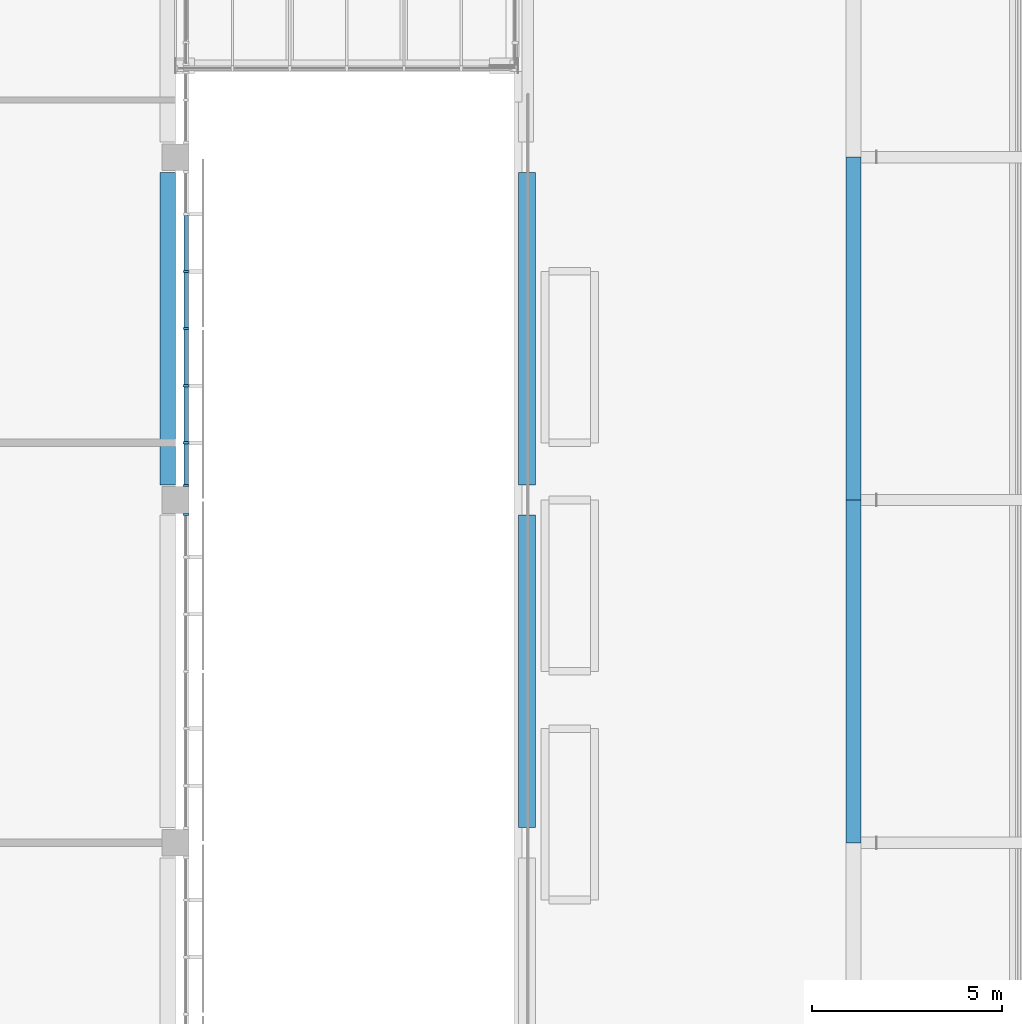
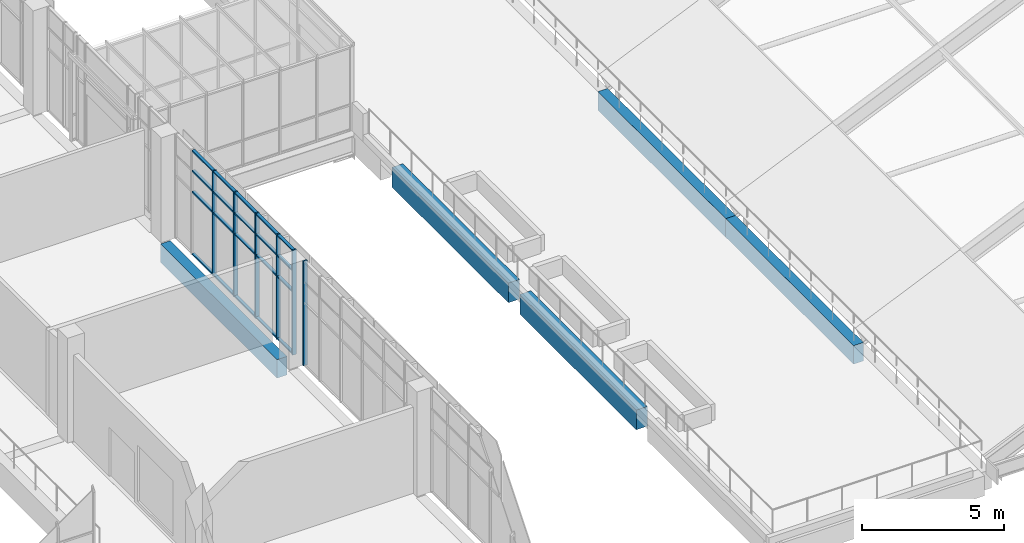
# One storey, part 24 of 106: 26 members, 5 beams, 2 elements without a shape of their own.
"""IFC4 building model written with IfcOpenShell, lengths in metres."""

from ifc_helpers import new_model, si_unit, direction, frame, origin, origin_2d, place, context, subcontext, project, spatial, rectangle, extrude, material, layer, layer_set, material_profile, profile_set, type_object, element, aggregate, save


model = new_model("IFC4")

# Units and contexts
model_context = context("Model", 3, precision=1e-05, world=origin(), true_north=direction((0.0, 1.0)))
body_context = subcontext(model_context, "Body", "Model", "MODEL_VIEW")
ifc_project = project(units=[si_unit("LENGTHUNIT", "METRE"), si_unit("AREAUNIT", "SQUARE_METRE"), si_unit("VOLUMEUNIT", "CUBIC_METRE"), si_unit("PLANEANGLEUNIT", "RADIAN"), si_unit("MASSUNIT", "GRAM", prefix="KILO")], contexts=[model_context])

# Site, building, storey
site_placement = place(None, origin())
site = spatial("IfcSite", under=ifc_project, at=site_placement, CompositionType="ELEMENT")
building_placement = place(site_placement, origin())
building = spatial("IfcBuilding", under=site, at=building_placement, Name="Guidao Yard Department Store", CompositionType="ELEMENT")
storey_placement = place(building_placement, frame((0.0, 0.0, 10.5)))
storey = spatial("IfcBuildingStorey", under=building, at=storey_placement, Name="L02", CompositionType="ELEMENT", Elevation=10.5)

# Beams
ifc_material_1 = material(Name="Concrete C40", Category="concrete")
ifc_material_profile_1 = material_profile(ifc_material_1, rectangle(XDim=0.449951171875, YDim=0.85009765625, at=origin_2d()), Name="Garden roof spandrel beam 450 x 850 C40")
ifc_profile_set_1 = profile_set([ifc_material_profile_1], Name="Concrete C40")
beam_type_1 = type_object("IfcBeamType", Name="Garden roof spandrel beam 450 x 850 C40", PredefinedType="SPANDREL", material=ifc_profile_set_1)
for number, where, z_axis, x_axis, name in (
    (1, (117.22509765625, 63.39990234375, -0.425048828125), (0.0, 1.0, 0.0), (-1.0, 0.0, 0.0), "Beam EB87"),
    (2, (117.22509765625, 72.39990234375, -0.425048828125), (0.0, 1.0, 0.0), (-1.0, 0.0, 0.0), "Beam EB88"),
):
    element("IfcBeam", number, at=place(storey_placement, frame(where, z_axis=z_axis, x_axis=x_axis)), inside=storey, type_object=beam_type_1, Name=name, PredefinedType="SPANDREL", context=body_context, shape_type="SweptSolid", body=[
        extrude(rectangle(XDim=0.449951171875, YDim=0.85009765625, at=origin_2d()), origin(), (0.0, 0.0, 1.0), 8.2001953125),
    ])

# Curtain wall, member
ifc_material_2 = material(Name="Aluminium and glass", Category="aluminium")
ifc_layer = layer(ifc_material_2, 0.159912109375)
ifc_layer_set = layer_set([ifc_layer], Name="Shopfront curtain wall CW1 1500 module")
curtain_wall_type = type_object("IfcCurtainWallType", Name="Shopfront curtain wall CW1 1500 module", PredefinedType="NOTDEFINED", material=ifc_layer_set)
curtain_wall_1_placement = place(storey_placement, origin())
curtain_wall_1 = element("IfcCurtainWall", 3, at=curtain_wall_1_placement, inside=storey, type_object=curtain_wall_type, Name="Arcade shop front", PredefinedType="NOTDEFINED")
ifc_material_3 = material(Name="Aluminium 6063-T5", Category="aluminium")
ifc_material_profile_2 = material_profile(ifc_material_3, rectangle(XDim=0.06005859375, YDim=0.159912109375, at=origin_2d()), Name="Mullion M1 60 x 160 aluminium pressure plate")
ifc_profile_set_2 = profile_set([ifc_material_profile_2], Name="Aluminium 6063-T5")
member_type_1 = type_object("IfcMemberType", Name="Mullion M1 60 x 160 aluminium pressure plate", PredefinedType="MULLION", material=ifc_profile_set_2)
member_1_placement = place(storey_placement, frame((108.280029296875, 71.6201171875, 0.0), z_axis=(0.0, 0.0, 1.0), x_axis=(0.0, -1.0, 0.0)))
member_1 = element("IfcMember", 4, at=member_1_placement, type_object=member_type_1, Name="CW-AS-L02-16 mullion 7", PredefinedType="MULLION", context=body_context, shape_type="SweptSolid", body=[
    extrude(rectangle(XDim=0.06005859375, YDim=0.159912109375, at=origin_2d()), origin(), (0.0, 0.0, 1.0), 4.5),
])
aggregate(curtain_wall_1, [member_1])

# Curtain wall, members
curtain_wall_2_placement = place(storey_placement, origin())
curtain_wall_2 = element("IfcCurtainWall", 5, at=curtain_wall_2_placement, inside=storey, type_object=curtain_wall_type, Name="Arcade shop front", PredefinedType="NOTDEFINED")
member_2_placement = place(storey_placement, frame((108.280029296875, 72.3798828125, 0.0), z_axis=(0.0, 0.0, 1.0), x_axis=(0.0, -1.0, 0.0)))
member_2 = element("IfcMember", 6, at=member_2_placement, type_object=member_type_1, Name="CW-AS-L02-17 mullion 1", PredefinedType="MULLION", context=body_context, shape_type="SweptSolid", body=[
    extrude(rectangle(XDim=0.06005859375, YDim=0.159912109375, at=origin_2d()), origin(), (0.0, 0.0, 1.0), 4.5),
])
member_3_placement = place(storey_placement, frame((108.280029296875, 73.5, 0.0), z_axis=(0.0, 0.0, 1.0), x_axis=(0.0, -1.0, 0.0)))
member_3 = element("IfcMember", 7, at=member_3_placement, type_object=member_type_1, Name="CW-AS-L02-17 mullion 2", PredefinedType="MULLION", context=body_context, shape_type="SweptSolid", body=[
    extrude(rectangle(XDim=0.06005859375, YDim=0.159912109375, at=origin_2d()), origin(), (0.0, 0.0, 1.0), 4.5),
])
member_4_placement = place(storey_placement, frame((108.280029296875, 75.0, 0.0), z_axis=(0.0, 0.0, 1.0), x_axis=(0.0, -1.0, 0.0)))
member_4 = element("IfcMember", 8, at=member_4_placement, type_object=member_type_1, Name="CW-AS-L02-17 mullion 3", PredefinedType="MULLION", context=body_context, shape_type="SweptSolid", body=[
    extrude(rectangle(XDim=0.06005859375, YDim=0.159912109375, at=origin_2d()), origin(), (0.0, 0.0, 1.0), 4.5),
])
member_5_placement = place(storey_placement, frame((108.280029296875, 76.5, 0.0), z_axis=(0.0, 0.0, 1.0), x_axis=(0.0, -1.0, 0.0)))
member_5 = element("IfcMember", 9, at=member_5_placement, type_object=member_type_1, Name="CW-AS-L02-17 mullion 4", PredefinedType="MULLION", context=body_context, shape_type="SweptSolid", body=[
    extrude(rectangle(XDim=0.06005859375, YDim=0.159912109375, at=origin_2d()), origin(), (0.0, 0.0, 1.0), 4.5),
])
member_6_placement = place(storey_placement, frame((108.280029296875, 78.0, 0.0), z_axis=(0.0, 0.0, 1.0), x_axis=(0.0, -1.0, 0.0)))
member_6 = element("IfcMember", 10, at=member_6_placement, type_object=member_type_1, Name="CW-AS-L02-17 mullion 5", PredefinedType="MULLION", context=body_context, shape_type="SweptSolid", body=[
    extrude(rectangle(XDim=0.06005859375, YDim=0.159912109375, at=origin_2d()), origin(), (0.0, 0.0, 1.0), 4.5),
])

# Beam
ifc_material_4 = material(Name="Concrete C40", Category="concrete")
ifc_material_profile_3 = material_profile(ifc_material_4, rectangle(XDim=0.39990234375, YDim=0.800048828125, at=origin_2d()), Name="Spandrel beam 400 x 800 C40")
ifc_profile_set_3 = profile_set([ifc_material_profile_3], Name="Concrete C40")
beam_type_2 = type_object("IfcBeamType", Name="Spandrel beam 400 x 800 C40", PredefinedType="SPANDREL", material=ifc_profile_set_3)
beam_placement = place(storey_placement, frame((107.800048828125, 72.39990234375, -0.39990234375), z_axis=(0.0, 1.0, 0.0), x_axis=(-1.0, 0.0, 0.0)))
element("IfcBeam", 11, at=beam_placement, inside=storey, type_object=beam_type_2, Name="Beam EB47", PredefinedType="SPANDREL", context=body_context, shape_type="SweptSolid", body=[
    extrude(rectangle(XDim=0.39990234375, YDim=0.800048828125, at=origin_2d()), origin(), (0.0, 0.0, 1.0), 8.2001953125),
])

# Member
ifc_material_5 = material(Name="Aluminium 6063-T5", Category="aluminium")
ifc_material_profile_4 = material_profile(ifc_material_5, rectangle(XDim=0.1201171875, YDim=0.06005859375, at=origin_2d()), Name="Transom T1 60 x 120 aluminium pressure plate")
ifc_profile_set_4 = profile_set([ifc_material_profile_4], Name="Aluminium 6063-T5")
member_type_2 = type_object("IfcMemberType", Name="Transom T1 60 x 120 aluminium pressure plate", PredefinedType="USERDEFINED", material=ifc_profile_set_4)
member_7_placement = place(storey_placement, frame((108.280029296875, 73.469970703125, 0.030029296875), z_axis=(0.0, -1.0, 0.0), x_axis=(1.0, 0.0, 0.0)))
member_7 = element("IfcMember", 12, at=member_7_placement, type_object=member_type_2, Name="CW-AS-L02-17 transom 1.1", ObjectType="TRANSOM", PredefinedType="USERDEFINED", context=body_context, shape_type="SweptSolid", body=[
    extrude(rectangle(XDim=0.1201171875, YDim=0.06005859375, at=origin_2d()), origin(), (0.0, 0.0, 1.0), 1.06005859375),
])

member_8_placement = place(storey_placement, frame((108.280029296875, 73.469970703125, 2.699951171875), z_axis=(0.0, -1.0, 0.0), x_axis=(1.0, 0.0, 0.0)))
member_8 = element("IfcMember", 13, at=member_8_placement, type_object=member_type_2, Name="CW-AS-L02-17 transom 1.2", ObjectType="TRANSOM", PredefinedType="USERDEFINED", context=body_context, shape_type="SweptSolid", body=[
    extrude(rectangle(XDim=0.1201171875, YDim=0.06005859375, at=origin_2d()), origin(), (0.0, 0.0, 1.0), 1.06005859375),
])

member_9_placement = place(storey_placement, frame((108.280029296875, 73.469970703125, 3.60009765625), z_axis=(0.0, -1.0, 0.0), x_axis=(1.0, 0.0, 0.0)))
member_9 = element("IfcMember", 14, at=member_9_placement, type_object=member_type_2, Name="CW-AS-L02-17 transom 1.3", ObjectType="TRANSOM", PredefinedType="USERDEFINED", context=body_context, shape_type="SweptSolid", body=[
    extrude(rectangle(XDim=0.1201171875, YDim=0.06005859375, at=origin_2d()), origin(), (0.0, 0.0, 1.0), 1.06005859375),
])

member_10_placement = place(storey_placement, frame((108.280029296875, 73.469970703125, 4.469970703125), z_axis=(0.0, -1.0, 0.0), x_axis=(1.0, 0.0, 0.0)))
member_10 = element("IfcMember", 15, at=member_10_placement, type_object=member_type_2, Name="CW-AS-L02-17 transom 1.4", ObjectType="TRANSOM", PredefinedType="USERDEFINED", context=body_context, shape_type="SweptSolid", body=[
    extrude(rectangle(XDim=0.1201171875, YDim=0.06005859375, at=origin_2d()), origin(), (0.0, 0.0, 1.0), 1.06005859375),
])

member_11_placement = place(storey_placement, frame((108.280029296875, 74.969970703125, 0.030029296875), z_axis=(0.0, -1.0, 0.0), x_axis=(1.0, 0.0, 0.0)))
member_11 = element("IfcMember", 16, at=member_11_placement, type_object=member_type_2, Name="CW-AS-L02-17 transom 2.1", ObjectType="TRANSOM", PredefinedType="USERDEFINED", context=body_context, shape_type="SweptSolid", body=[
    extrude(rectangle(XDim=0.1201171875, YDim=0.06005859375, at=origin_2d()), origin(), (0.0, 0.0, 1.0), 1.43994140625),
])

member_12_placement = place(storey_placement, frame((108.280029296875, 74.969970703125, 2.699951171875), z_axis=(0.0, -1.0, 0.0), x_axis=(1.0, 0.0, 0.0)))
member_12 = element("IfcMember", 17, at=member_12_placement, type_object=member_type_2, Name="CW-AS-L02-17 transom 2.2", ObjectType="TRANSOM", PredefinedType="USERDEFINED", context=body_context, shape_type="SweptSolid", body=[
    extrude(rectangle(XDim=0.1201171875, YDim=0.06005859375, at=origin_2d()), origin(), (0.0, 0.0, 1.0), 1.43994140625),
])

member_13_placement = place(storey_placement, frame((108.280029296875, 74.969970703125, 3.60009765625), z_axis=(0.0, -1.0, 0.0), x_axis=(1.0, 0.0, 0.0)))
member_13 = element("IfcMember", 18, at=member_13_placement, type_object=member_type_2, Name="CW-AS-L02-17 transom 2.3", ObjectType="TRANSOM", PredefinedType="USERDEFINED", context=body_context, shape_type="SweptSolid", body=[
    extrude(rectangle(XDim=0.1201171875, YDim=0.06005859375, at=origin_2d()), origin(), (0.0, 0.0, 1.0), 1.43994140625),
])

member_14_placement = place(storey_placement, frame((108.280029296875, 74.969970703125, 4.469970703125), z_axis=(0.0, -1.0, 0.0), x_axis=(1.0, 0.0, 0.0)))
member_14 = element("IfcMember", 19, at=member_14_placement, type_object=member_type_2, Name="CW-AS-L02-17 transom 2.4", ObjectType="TRANSOM", PredefinedType="USERDEFINED", context=body_context, shape_type="SweptSolid", body=[
    extrude(rectangle(XDim=0.1201171875, YDim=0.06005859375, at=origin_2d()), origin(), (0.0, 0.0, 1.0), 1.43994140625),
])

member_15_placement = place(storey_placement, frame((108.280029296875, 76.469970703125, 0.030029296875), z_axis=(0.0, -1.0, 0.0), x_axis=(1.0, 0.0, 0.0)))
member_15 = element("IfcMember", 20, at=member_15_placement, type_object=member_type_2, Name="CW-AS-L02-17 transom 3.1", ObjectType="TRANSOM", PredefinedType="USERDEFINED", context=body_context, shape_type="SweptSolid", body=[
    extrude(rectangle(XDim=0.1201171875, YDim=0.06005859375, at=origin_2d()), origin(), (0.0, 0.0, 1.0), 1.43994140625),
])

member_16_placement = place(storey_placement, frame((108.280029296875, 76.469970703125, 2.699951171875), z_axis=(0.0, -1.0, 0.0), x_axis=(1.0, 0.0, 0.0)))
member_16 = element("IfcMember", 21, at=member_16_placement, type_object=member_type_2, Name="CW-AS-L02-17 transom 3.2", ObjectType="TRANSOM", PredefinedType="USERDEFINED", context=body_context, shape_type="SweptSolid", body=[
    extrude(rectangle(XDim=0.1201171875, YDim=0.06005859375, at=origin_2d()), origin(), (0.0, 0.0, 1.0), 1.43994140625),
])

member_17_placement = place(storey_placement, frame((108.280029296875, 76.469970703125, 3.60009765625), z_axis=(0.0, -1.0, 0.0), x_axis=(1.0, 0.0, 0.0)))
member_17 = element("IfcMember", 22, at=member_17_placement, type_object=member_type_2, Name="CW-AS-L02-17 transom 3.3", ObjectType="TRANSOM", PredefinedType="USERDEFINED", context=body_context, shape_type="SweptSolid", body=[
    extrude(rectangle(XDim=0.1201171875, YDim=0.06005859375, at=origin_2d()), origin(), (0.0, 0.0, 1.0), 1.43994140625),
])

member_18_placement = place(storey_placement, frame((108.280029296875, 76.469970703125, 4.469970703125), z_axis=(0.0, -1.0, 0.0), x_axis=(1.0, 0.0, 0.0)))
member_18 = element("IfcMember", 23, at=member_18_placement, type_object=member_type_2, Name="CW-AS-L02-17 transom 3.4", ObjectType="TRANSOM", PredefinedType="USERDEFINED", context=body_context, shape_type="SweptSolid", body=[
    extrude(rectangle(XDim=0.1201171875, YDim=0.06005859375, at=origin_2d()), origin(), (0.0, 0.0, 1.0), 1.43994140625),
])

member_19_placement = place(storey_placement, frame((108.280029296875, 77.969970703125, 0.030029296875), z_axis=(0.0, -1.0, 0.0), x_axis=(1.0, 0.0, 0.0)))
member_19 = element("IfcMember", 24, at=member_19_placement, type_object=member_type_2, Name="CW-AS-L02-17 transom 4.1", ObjectType="TRANSOM", PredefinedType="USERDEFINED", context=body_context, shape_type="SweptSolid", body=[
    extrude(rectangle(XDim=0.1201171875, YDim=0.06005859375, at=origin_2d()), origin(), (0.0, 0.0, 1.0), 1.43994140625),
])

member_20_placement = place(storey_placement, frame((108.280029296875, 77.969970703125, 2.699951171875), z_axis=(0.0, -1.0, 0.0), x_axis=(1.0, 0.0, 0.0)))
member_20 = element("IfcMember", 25, at=member_20_placement, type_object=member_type_2, Name="CW-AS-L02-17 transom 4.2", ObjectType="TRANSOM", PredefinedType="USERDEFINED", context=body_context, shape_type="SweptSolid", body=[
    extrude(rectangle(XDim=0.1201171875, YDim=0.06005859375, at=origin_2d()), origin(), (0.0, 0.0, 1.0), 1.43994140625),
])

member_21_placement = place(storey_placement, frame((108.280029296875, 77.969970703125, 3.60009765625), z_axis=(0.0, -1.0, 0.0), x_axis=(1.0, 0.0, 0.0)))
member_21 = element("IfcMember", 26, at=member_21_placement, type_object=member_type_2, Name="CW-AS-L02-17 transom 4.3", ObjectType="TRANSOM", PredefinedType="USERDEFINED", context=body_context, shape_type="SweptSolid", body=[
    extrude(rectangle(XDim=0.1201171875, YDim=0.06005859375, at=origin_2d()), origin(), (0.0, 0.0, 1.0), 1.43994140625),
])

member_22_placement = place(storey_placement, frame((108.280029296875, 77.969970703125, 4.469970703125), z_axis=(0.0, -1.0, 0.0), x_axis=(1.0, 0.0, 0.0)))
member_22 = element("IfcMember", 27, at=member_22_placement, type_object=member_type_2, Name="CW-AS-L02-17 transom 4.4", ObjectType="TRANSOM", PredefinedType="USERDEFINED", context=body_context, shape_type="SweptSolid", body=[
    extrude(rectangle(XDim=0.1201171875, YDim=0.06005859375, at=origin_2d()), origin(), (0.0, 0.0, 1.0), 1.43994140625),
])

member_23_placement = place(storey_placement, frame((108.280029296875, 79.469970703125, 0.030029296875), z_axis=(0.0, -1.0, 0.0), x_axis=(1.0, 0.0, 0.0)))
member_23 = element("IfcMember", 28, at=member_23_placement, type_object=member_type_2, Name="CW-AS-L02-17 transom 5.1", ObjectType="TRANSOM", PredefinedType="USERDEFINED", context=body_context, shape_type="SweptSolid", body=[
    extrude(rectangle(XDim=0.1201171875, YDim=0.06005859375, at=origin_2d()), origin(), (0.0, 0.0, 1.0), 1.43994140625),
])

member_24_placement = place(storey_placement, frame((108.280029296875, 79.469970703125, 2.699951171875), z_axis=(0.0, -1.0, 0.0), x_axis=(1.0, 0.0, 0.0)))
member_24 = element("IfcMember", 29, at=member_24_placement, type_object=member_type_2, Name="CW-AS-L02-17 transom 5.2", ObjectType="TRANSOM", PredefinedType="USERDEFINED", context=body_context, shape_type="SweptSolid", body=[
    extrude(rectangle(XDim=0.1201171875, YDim=0.06005859375, at=origin_2d()), origin(), (0.0, 0.0, 1.0), 1.43994140625),
])

member_25_placement = place(storey_placement, frame((108.280029296875, 79.469970703125, 3.60009765625), z_axis=(0.0, -1.0, 0.0), x_axis=(1.0, 0.0, 0.0)))
member_25 = element("IfcMember", 30, at=member_25_placement, type_object=member_type_2, Name="CW-AS-L02-17 transom 5.3", ObjectType="TRANSOM", PredefinedType="USERDEFINED", context=body_context, shape_type="SweptSolid", body=[
    extrude(rectangle(XDim=0.1201171875, YDim=0.06005859375, at=origin_2d()), origin(), (0.0, 0.0, 1.0), 1.43994140625),
])

member_26_placement = place(storey_placement, frame((108.280029296875, 79.469970703125, 4.469970703125), z_axis=(0.0, -1.0, 0.0), x_axis=(1.0, 0.0, 0.0)))
member_26 = element("IfcMember", 31, at=member_26_placement, type_object=member_type_2, Name="CW-AS-L02-17 transom 5.4", ObjectType="TRANSOM", PredefinedType="USERDEFINED", context=body_context, shape_type="SweptSolid", body=[
    extrude(rectangle(XDim=0.1201171875, YDim=0.06005859375, at=origin_2d()), origin(), (0.0, 0.0, 1.0), 1.43994140625),
])

aggregate(curtain_wall_2, [member_2, member_3, member_4, member_5, member_6, member_7, member_8, member_9, member_10, member_11, member_12, member_13, member_14, member_15, member_16, member_17, member_18, member_19, member_20, member_21, member_22, member_23, member_24, member_25, member_26])

# Beams
ifc_material_6 = material(Name="Concrete C40", Category="concrete")
ifc_material_profile_5 = material_profile(ifc_material_6, rectangle(XDim=0.39990234375, YDim=0.800048828125, at=origin_2d()), Name="Vault bearing beam 400 x 800 C40")
ifc_profile_set_5 = profile_set([ifc_material_profile_5], Name="Concrete C40")
beam_type_3 = type_object("IfcBeamType", Name="Vault bearing beam 400 x 800 C40", PredefinedType="BEAM", material=ifc_profile_set_5)
for number, where, z_axis, x_axis, name in (
    (32, (125.800048828125, 63.0, -0.39990234375), (0.0, 1.0, 0.0), (-1.0, 0.0, 0.0), "Beam VB09"),
    (33, (125.800048828125, 72.0, -0.39990234375), (0.0, 1.0, 0.0), (-1.0, 0.0, 0.0), "Beam VB10"),
):
    element("IfcBeam", number, at=place(storey_placement, frame(where, z_axis=z_axis, x_axis=x_axis)), inside=storey, type_object=beam_type_3, Name=name, PredefinedType="BEAM", context=body_context, shape_type="SweptSolid", body=[
        extrude(rectangle(XDim=0.39990234375, YDim=0.800048828125, at=origin_2d()), origin(), (0.0, 0.0, 1.0), 9.0),
    ])

save(model, "model.ifc")
